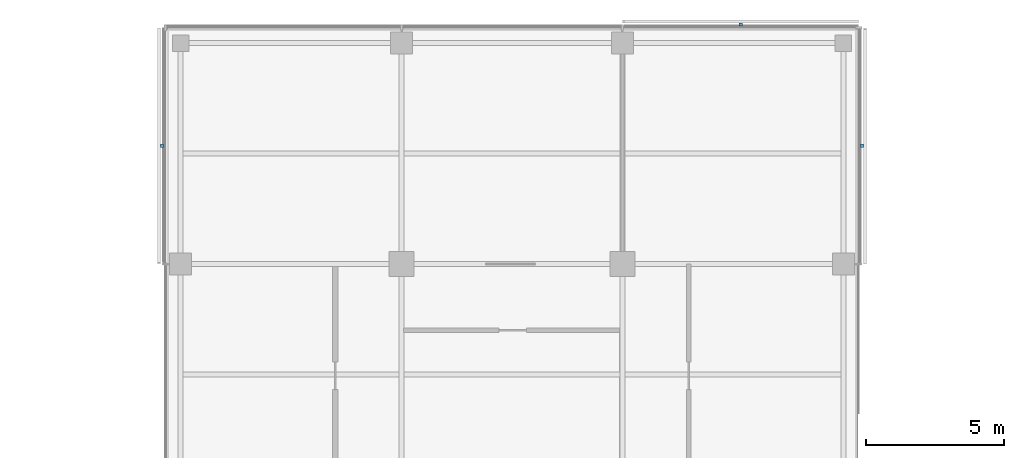
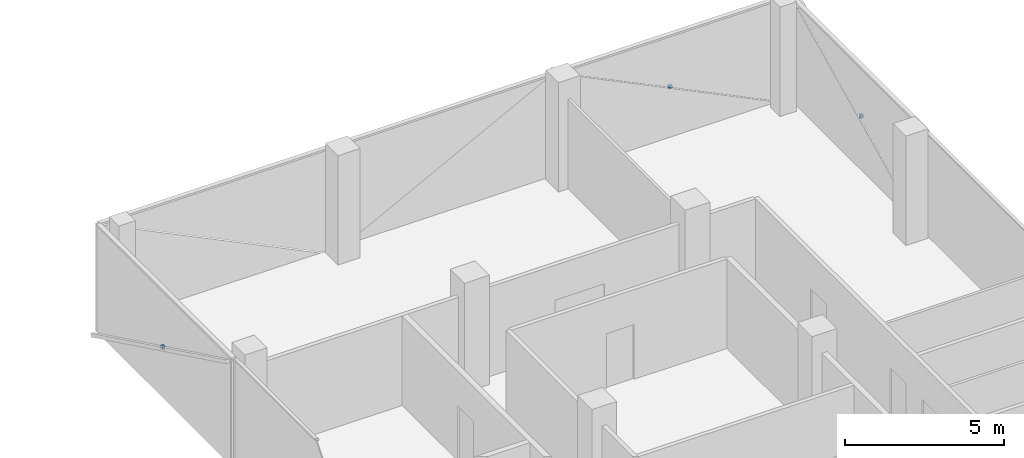
# One storey, part 14 of 15: 3 discrete accessories.
"""IFC4 building model written with IfcOpenShell, lengths in metres."""

from ifc_helpers import new_model, si_unit, direction, frame, origin, origin_2d, place, context, subcontext, project, spatial, rectangle, extrude, material, type_object, element, save


model = new_model("IFC4")

# Units and contexts
model_context = context("Model", 3, precision=1e-05, world=origin(), true_north=direction((0.0, 1.0)))
body_context = subcontext(model_context, "Body", "Model", "MODEL_VIEW")
ifc_project = project(units=[si_unit("LENGTHUNIT", "METRE"), si_unit("AREAUNIT", "SQUARE_METRE"), si_unit("VOLUMEUNIT", "CUBIC_METRE"), si_unit("PLANEANGLEUNIT", "RADIAN"), si_unit("MASSUNIT", "GRAM", prefix="KILO")], contexts=[model_context])

# Site, building, storey
site_placement = place(None, origin())
site = spatial("IfcSite", under=ifc_project, at=site_placement, CompositionType="ELEMENT")
building_placement = place(site_placement, origin())
building = spatial("IfcBuilding", under=site, at=building_placement, Name="Crosswind Convention Tower", CompositionType="ELEMENT")
storey_placement = place(building_placement, frame((0.0, 0.0, 220.89990234375)))
storey = spatial("IfcBuildingStorey", under=building, at=storey_placement, Name="L47", CompositionType="ELEMENT", Elevation=220.89990234375)

# Discrete accessories
ifc_material = material(Name="Stainless steel", Category="steel")
discrete_accessory_type = type_object("IfcDiscreteAccessoryType", Name="BAGUETTE BRACKET BK3", PredefinedType="BRACKET", material=ifc_material)
for number, where, z_axis, x_axis, name in (
    (1, (137.676025390625, 124.280029296875, 1.705078125), (0.0, 0.0, 1.0), (0.0, 1.0, 0.0), "BK3 baguette bracket"),
    (2, (133.280029296875, 128.676025390625, 1.705078125), (0.0, 0.0, 1.0), (-1.0, 0.0, 0.0), "BK3 baguette bracket"),
    (3, (112.323974609375, 124.280029296875, 1.705078125), (0.0, 0.0, 1.0), (0.0, -1.0, 0.0), "BK3 baguette bracket"),
):
    element("IfcDiscreteAccessory", number, at=place(storey_placement, frame(where, z_axis=z_axis, x_axis=x_axis)), inside=storey, type_object=discrete_accessory_type, Name=name, PredefinedType="BRACKET", context=body_context, shape_type="SweptSolid", body=[
        extrude(rectangle(XDim=0.1201171875, YDim=0.10009765625, at=origin_2d()), origin(), (0.0, 0.0, 1.0), 0.1201171875),
    ])

save(model, "model.ifc")
